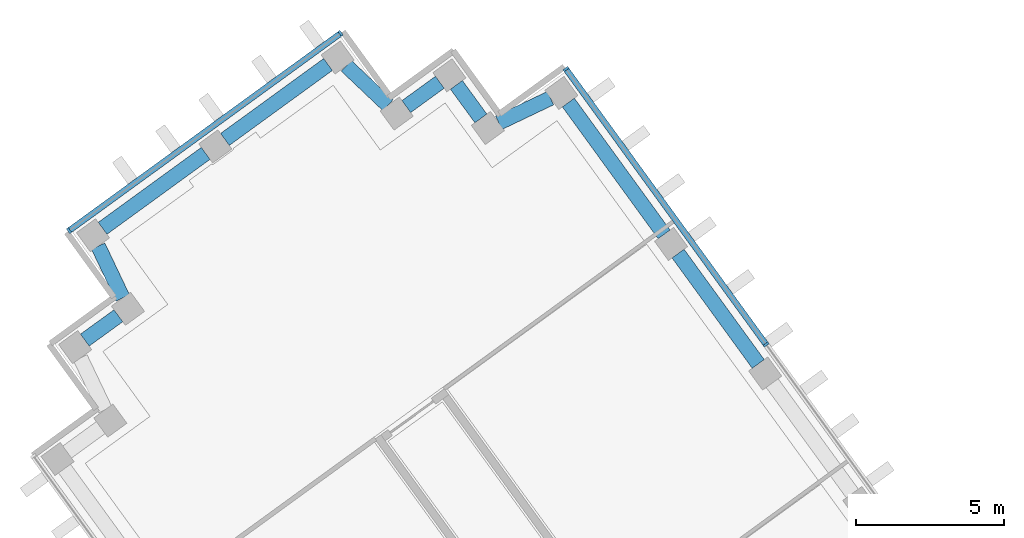
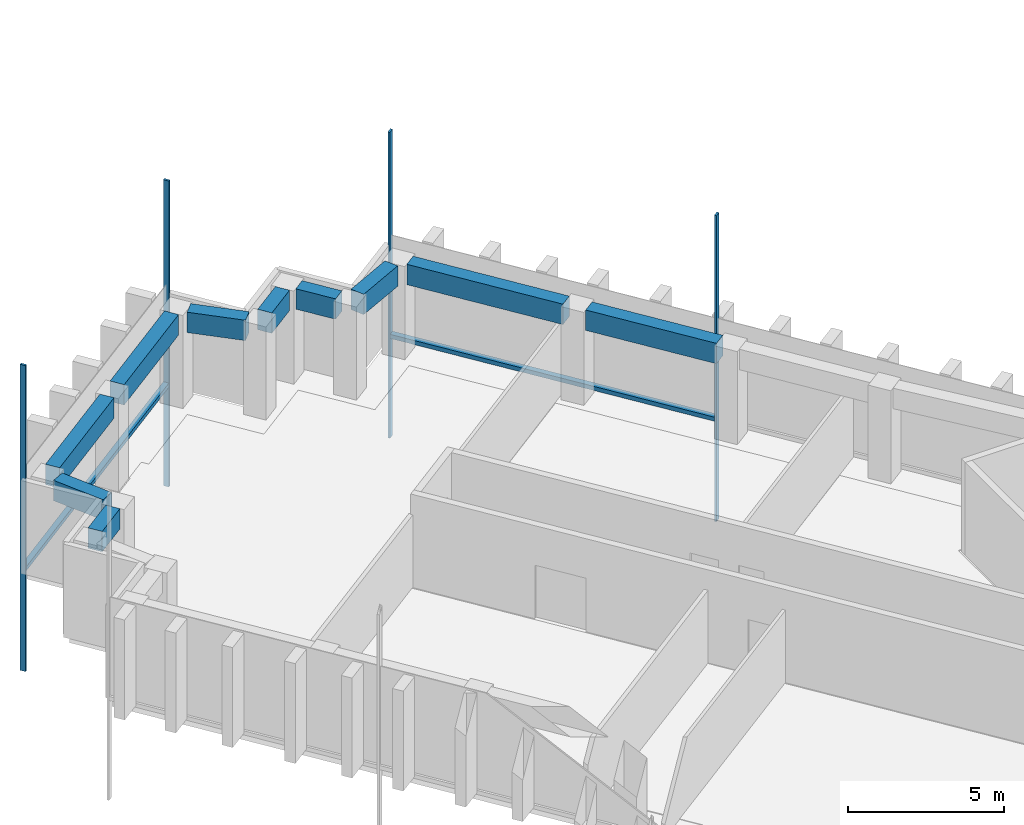
# One storey, part 4 of 12: 10 beams, 6 members, 2 elements without a shape of their own.
"""IFC4 building model written with IfcOpenShell, lengths in metres."""

from ifc_helpers import new_model, si_unit, direction, frame, origin, origin_2d, place, context, subcontext, project, spatial, rectangle, extrude, material, material_profile, profile_set, type_object, element, aggregate, save


model = new_model("IFC4")

# Units and contexts
model_context = context("Model", 3, precision=1e-05, world=origin(), true_north=direction((0.0, 1.0)))
body_context = subcontext(model_context, "Body", "Model", "MODEL_VIEW")
ifc_project = project(units=[si_unit("LENGTHUNIT", "METRE"), si_unit("AREAUNIT", "SQUARE_METRE"), si_unit("VOLUMEUNIT", "CUBIC_METRE"), si_unit("PLANEANGLEUNIT", "RADIAN"), si_unit("MASSUNIT", "GRAM", prefix="KILO")], contexts=[model_context])

# Site, building, storey
site_placement = place(None, origin())
site = spatial("IfcSite", under=ifc_project, at=site_placement, CompositionType="ELEMENT")
building_placement = place(site_placement, origin())
building = spatial("IfcBuilding", under=site, at=building_placement, Name="Quipu Civic Tower", CompositionType="ELEMENT")
storey_placement = place(building_placement, frame((0.0, 0.0, 222.0)))
storey = spatial("IfcBuildingStorey", under=building, at=storey_placement, Name="L52", CompositionType="ELEMENT", Elevation=222.0)

# Curtain wall, members
ifc_material_1 = material(Name="Insulated glass unit", Category="glass")
curtain_wall_type = type_object("IfcCurtainWallType", Name="Office curtain wall CW1", PredefinedType="NOTDEFINED", material=ifc_material_1)
curtain_wall_1_placement = place(storey_placement, origin())
curtain_wall_1 = element("IfcCurtainWall", 1, at=curtain_wall_1_placement, inside=storey, type_object=curtain_wall_type, Name="Office curtain wall CW1 L51 run 1", PredefinedType="NOTDEFINED")
ifc_material_2 = material(Name="Anodised aluminium", Category="aluminium")
ifc_material_profile_1 = material_profile(ifc_material_2, rectangle(XDim=0.199951171875, YDim=0.080078125, at=origin_2d()), Name="RECT 200x80")
ifc_profile_set_1 = profile_set([ifc_material_profile_1], Name="Anodised aluminium")
member_type_1 = type_object("IfcMemberType", Name="Mullion CW1", PredefinedType="MULLION", material=ifc_profile_set_1)
member_1_placement = place(storey_placement, frame((-21.11669921875, 20.421630859375, -3.919921875), z_axis=(0.0, 0.0, 1.0), x_axis=(-0.809014469803, -0.587788727052, 0.0)))
member_1 = element("IfcMember", 2, at=member_1_placement, type_object=member_type_1, Name="CW1 mullion 2", PredefinedType="MULLION", context=body_context, shape_type="SweptSolid", body=[
    extrude(rectangle(XDim=0.199951171875, YDim=0.080078125, at=origin_2d()), origin(), (0.0, 0.0, 1.0), 12.0),
])
member_2_placement = place(storey_placement, frame((-27.865966796875, 29.7109375, -3.919921875), z_axis=(0.0, 0.0, 1.0), x_axis=(-0.809014469803, -0.587788727052, 0.0)))
member_2 = element("IfcMember", 3, at=member_2_placement, type_object=member_type_1, Name="CW1 mullion 3", PredefinedType="MULLION", context=body_context, shape_type="SweptSolid", body=[
    extrude(rectangle(XDim=0.199951171875, YDim=0.080078125, at=origin_2d()), origin(), (0.0, 0.0, 1.0), 12.0),
])

curtain_wall_2_placement = place(storey_placement, origin())
curtain_wall_2 = element("IfcCurtainWall", 4, at=curtain_wall_2_placement, inside=storey, type_object=curtain_wall_type, Name="Office curtain wall CW1 L51 run 6", PredefinedType="NOTDEFINED")
member_3_placement = place(storey_placement, frame((-35.46435546875, 30.914306640625, -3.919921875), z_axis=(0.0, 0.0, 1.0), x_axis=(0.587787753918, -0.809015176832, 0.0)))
member_3 = element("IfcMember", 5, at=member_3_placement, type_object=member_type_1, Name="CW1 mullion 1", PredefinedType="MULLION", context=body_context, shape_type="SweptSolid", body=[
    extrude(rectangle(XDim=0.199951171875, YDim=0.080078125, at=origin_2d()), origin(), (0.0, 0.0, 1.0), 12.0),
])
member_4_placement = place(storey_placement, frame((-44.62255859375, 24.260498046875, -3.919921875), z_axis=(0.0, 0.0, 1.0), x_axis=(0.587787753918, -0.809015176832, 0.0)))
member_4 = element("IfcMember", 6, at=member_4_placement, type_object=member_type_1, Name="CW1 mullion 2", PredefinedType="MULLION", context=body_context, shape_type="SweptSolid", body=[
    extrude(rectangle(XDim=0.199951171875, YDim=0.080078125, at=origin_2d()), origin(), (0.0, 0.0, 1.0), 12.0),
])

# Beams
ifc_material_3 = material(Name="Concrete C50/60", Category="concrete")
ifc_material_profile_2 = material_profile(ifc_material_3, rectangle(XDim=0.5, YDim=0.800048828125, at=origin_2d()), Name="RC500x800")
ifc_profile_set_2 = profile_set([ifc_material_profile_2], Name="Concrete C50/60")
beam_type = type_object("IfcBeamType", Name="Spandrel beam RC 500x800 C50/60", PredefinedType="SPANDREL", material=ifc_profile_set_2)
beam_1_placement = place(storey_placement, frame((-21.382568359375, 19.767333984375, 3.25), z_axis=(-0.587736122681, 0.809052686848, 0.0), x_axis=(-0.809052686848, -0.587736122681, 0.0)))
element("IfcBeam", 7, at=beam_1_placement, inside=storey, type_object=beam_type, Name="Spandrel beam L52 W-IN-02 to W-IN-03", PredefinedType="SPANDREL", context=body_context, shape_type="SweptSolid", body=[
    extrude(rectangle(XDim=0.5, YDim=0.800048828125, at=origin_2d()), origin(), (0.0, 0.0, 1.0), 4.60009765625),
])
beam_2_placement = place(storey_placement, frame((-24.556396484375, 24.13623046875, 3.25), z_axis=(-0.587664254196, 0.809104890815, 0.0), x_axis=(-0.809104890815, -0.587664254196, 0.0)))
element("IfcBeam", 8, at=beam_2_placement, inside=storey, type_object=beam_type, Name="Spandrel beam L52 W-IN-03 to T-Wi.0-W34", PredefinedType="SPANDREL", context=body_context, shape_type="SweptSolid", body=[
    extrude(rectangle(XDim=0.5, YDim=0.800048828125, at=origin_2d()), origin(), (0.0, 0.0, 1.0), 5.493896484375),
])
beam_3_placement = place(storey_placement, frame((-28.38720703125, 28.72998046875, 3.25), z_axis=(-0.902584802379, -0.430512107279, 0.0), x_axis=(0.430512107279, -0.902584802379, 0.0)))
element("IfcBeam", 9, at=beam_3_placement, inside=storey, type_object=beam_type, Name="Spandrel beam L52 T-Wi.0-W34 to T-Wi.1-W34", PredefinedType="SPANDREL", context=body_context, shape_type="SweptSolid", body=[
    extrude(rectangle(XDim=0.5, YDim=0.800048828125, at=origin_2d()), origin(), (0.0, 0.0, 1.0), 1.9326171875),
])
beam_4_placement = place(storey_placement, frame((-30.734375, 28.0458984375, 3.25), z_axis=(-0.589342949835, 0.80788296645, 0.0), x_axis=(-0.80788296645, -0.589342949835, 0.0)))
element("IfcBeam", 10, at=beam_4_placement, inside=storey, type_object=beam_type, Name="Spandrel beam L52 T-Wi.1-W34 to T-Wi.2-W34", PredefinedType="SPANDREL", context=body_context, shape_type="SweptSolid", body=[
    extrude(rectangle(XDim=0.5, YDim=0.800048828125, at=origin_2d()), origin(), (0.0, 0.0, 1.0), 1.39990234375),
])
beam_5_placement = place(storey_placement, frame((-32.118896484375, 29.26513671875, 3.25), z_axis=(-0.80941533633, -0.587236590578, 0.0), x_axis=(0.587236590578, -0.80941533633, 0.0)))
element("IfcBeam", 11, at=beam_5_placement, inside=storey, type_object=beam_type, Name="Spandrel beam L52 T-Wi.2-W34 to T-Wi.3-W34", PredefinedType="SPANDREL", context=body_context, shape_type="SweptSolid", body=[
    extrude(rectangle(XDim=0.5, YDim=0.800048828125, at=origin_2d()), origin(), (0.0, 0.0, 1.0), 1.397705078125),
])
beam_6_placement = place(storey_placement, frame((-33.868896484375, 28.489501953125, 3.25), z_axis=(-0.72519185421, 0.68854685722, 0.0), x_axis=(-0.68854685722, -0.72519185421, 0.0)))
element("IfcBeam", 12, at=beam_6_placement, inside=storey, type_object=beam_type, Name="Spandrel beam L52 T-Wi.3-W34 to T-Wi.4-W34", PredefinedType="SPANDREL", context=body_context, shape_type="SweptSolid", body=[
    extrude(rectangle(XDim=0.5, YDim=0.800048828125, at=origin_2d()), origin(), (0.0, 0.0, 1.0), 1.93212890625),
])
beam_7_placement = place(storey_placement, frame((-35.888671875, 29.86474609375, 3.25), z_axis=(-0.808983997561, -0.58783066583, 0.0), x_axis=(0.58783066583, -0.808983997561, 0.0)))
element("IfcBeam", 13, at=beam_7_placement, inside=storey, type_object=beam_type, Name="Spandrel beam L52 T-Wi.4-W34 to TIP-W-01-W34", PredefinedType="SPANDREL", context=body_context, shape_type="SweptSolid", body=[
    extrude(rectangle(XDim=0.5, YDim=0.800048828125, at=origin_2d()), origin(), (0.0, 0.0, 1.0), 4.2998046875),
])
beam_8_placement = place(storey_placement, frame((-40.014404296875, 26.866943359375, 3.25), z_axis=(-0.808947267178, -0.587881211578, 0.0), x_axis=(0.587881211578, -0.808947267178, 0.0)))
element("IfcBeam", 14, at=beam_8_placement, inside=storey, type_object=beam_type, Name="Spandrel beam L52 TIP-W-01-W34 to T-Wo.0-W34", PredefinedType="SPANDREL", context=body_context, shape_type="SweptSolid", body=[
    extrude(rectangle(XDim=0.5, YDim=0.800048828125, at=origin_2d()), origin(), (0.0, 0.0, 1.0), 4.29833984375),
])
beam_9_placement = place(storey_placement, frame((-43.64013671875, 23.737548828125, 3.25), z_axis=(0.429889421342, -0.902881545618, 0.0), x_axis=(0.902881545618, 0.429889421342, 0.0)))
element("IfcBeam", 15, at=beam_9_placement, inside=storey, type_object=beam_type, Name="Spandrel beam L52 T-Wo.0-W34 to T-Wo.1-W34", PredefinedType="SPANDREL", context=body_context, shape_type="SweptSolid", body=[
    extrude(rectangle(XDim=0.5, YDim=0.800048828125, at=origin_2d()), origin(), (0.0, 0.0, 1.0), 1.931396484375),
])
beam_10_placement = place(storey_placement, frame((-42.958740234375, 21.391357421875, 3.25), z_axis=(-0.809467380413, -0.587164849125, 0.0), x_axis=(0.587164849125, -0.809467380413, 0.0)))
element("IfcBeam", 16, at=beam_10_placement, inside=storey, type_object=beam_type, Name="Spandrel beam L52 T-Wo.1-W34 to T-Wo.2-W34", PredefinedType="SPANDREL", context=body_context, shape_type="SweptSolid", body=[
    extrude(rectangle(XDim=0.5, YDim=0.800048828125, at=origin_2d()), origin(), (0.0, 0.0, 1.0), 1.399169921875),
])

# Member
ifc_material_4 = material(Name="Anodised aluminium", Category="aluminium")
ifc_material_profile_3 = material_profile(ifc_material_4, rectangle(XDim=0.199951171875, YDim=0.159912109375, at=origin_2d()), Name="RECT 200x160")
ifc_profile_set_3 = profile_set([ifc_material_profile_3], Name="Anodised aluminium")
member_type_2 = type_object("IfcMemberType", Name="Transom CW1", PredefinedType="USERDEFINED", material=ifc_profile_set_3)
member_5_placement = place(storey_placement, frame((-21.140380859375, 20.453857421875, 0.080078125), z_axis=(-0.587775682251, 0.809023947331, 0.0), x_axis=(-0.809023947331, -0.587775682251, 0.0)))
member_5 = element("IfcMember", 17, at=member_5_placement, type_object=member_type_2, Name="CW1 transom 2.2", ObjectType="TRANSOM", PredefinedType="USERDEFINED", context=body_context, shape_type="SweptSolid", body=[
    extrude(rectangle(XDim=0.199951171875, YDim=0.159912109375, at=origin_2d()), origin(), (0.0, 0.0, 1.0), 11.402099609375),
])

aggregate(curtain_wall_1, [member_1, member_2, member_5])

member_6_placement = place(storey_placement, frame((-35.496826171875, 30.890869140625, 0.080078125), z_axis=(-0.809014959561, -0.587788052963, 0.0), x_axis=(0.587788052963, -0.809014959561, 0.0)))
member_6 = element("IfcMember", 18, at=member_6_placement, type_object=member_type_2, Name="CW1 transom 1.2", ObjectType="TRANSOM", PredefinedType="USERDEFINED", context=body_context, shape_type="SweptSolid", body=[
    extrude(rectangle(XDim=0.199951171875, YDim=0.159912109375, at=origin_2d()), origin(), (0.0, 0.0, 1.0), 11.239990234375),
])

aggregate(curtain_wall_2, [member_3, member_4, member_6])

save(model, "model.ifc")
